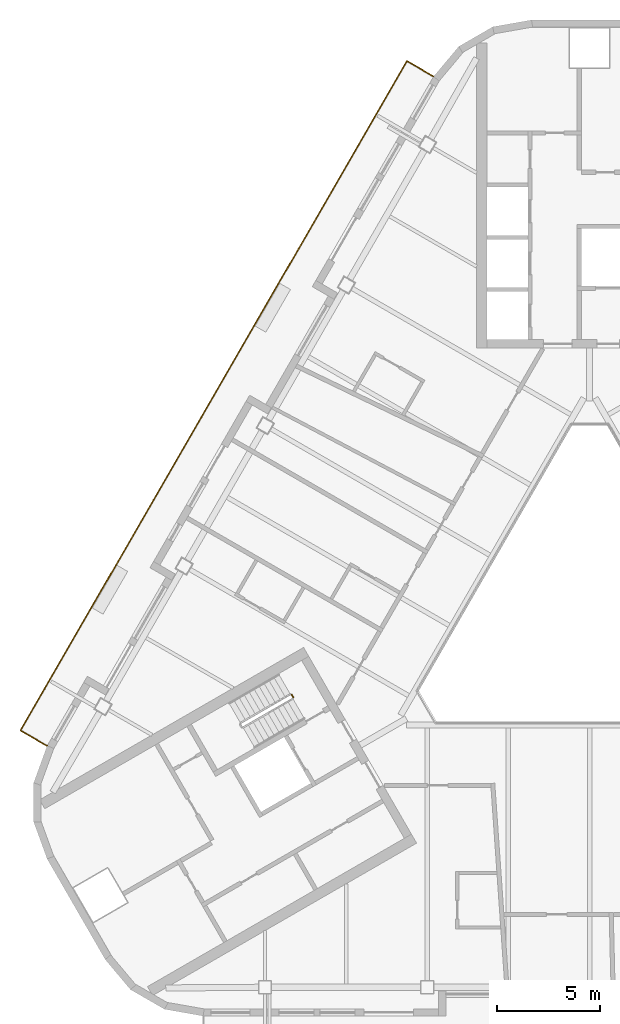
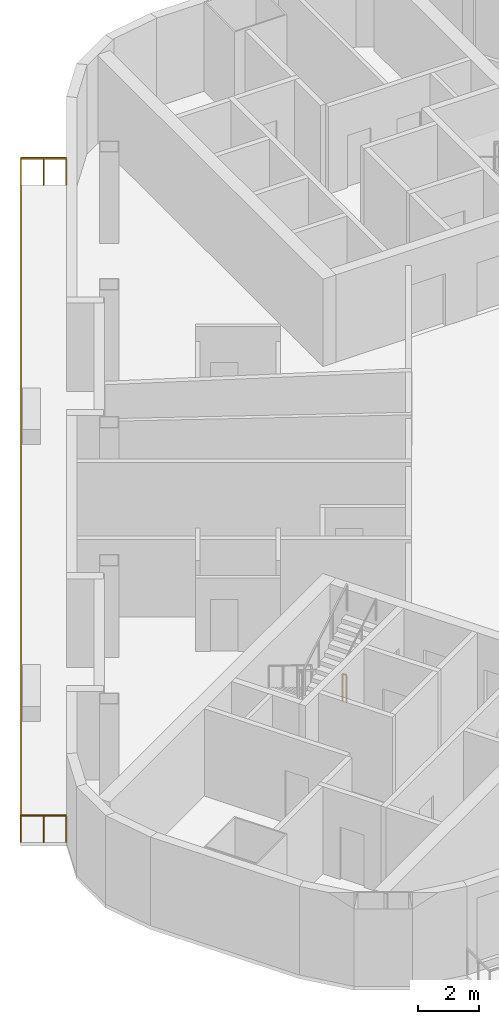
# One storey, part 11 of 14: 2 railings.
"""IFC4 building model written with IfcOpenShell, lengths in metres."""

from ifc_helpers import new_model, si_unit, direction, frame, origin, origin_2d, place, context, subcontext, project, spatial, rectangle, extrude, material, type_object, element, save


model = new_model("IFC4")

# Units and contexts
model_context = context("Model", 3, precision=1e-05, world=origin(), true_north=direction((0.0, 1.0)))
body_context = subcontext(model_context, "Body", "Model", "MODEL_VIEW")
ifc_project = project(units=[si_unit("LENGTHUNIT", "METRE"), si_unit("AREAUNIT", "SQUARE_METRE"), si_unit("VOLUMEUNIT", "CUBIC_METRE"), si_unit("PLANEANGLEUNIT", "RADIAN"), si_unit("MASSUNIT", "GRAM", prefix="KILO")], contexts=[model_context])

# Site, building, storey
site_placement = place(None, origin())
site = spatial("IfcSite", under=ifc_project, at=site_placement, CompositionType="ELEMENT")
building_placement = place(site_placement, origin())
building = spatial("IfcBuilding", under=site, at=building_placement, Name="Apuvela Tower Hotel", CompositionType="ELEMENT")
storey_placement = place(building_placement, frame((0.0, 0.0, 250.39990234375)))
storey = spatial("IfcBuildingStorey", under=building, at=storey_placement, Name="L61", CompositionType="ELEMENT", Elevation=250.39990234375)

# Railings
ifc_material_1 = material(Name="Steel S275 balustrade", Category="steel")
railing_type_1 = type_object("IfcRailingType", Name="COR-GUARD-1100", PredefinedType="GUARDRAIL", material=ifc_material_1)
railing_1_placement = place(storey_placement, frame((-14.500732421875, -3.984130859375, 0.0)))
element("IfcRailing", 1, at=railing_1_placement, inside=storey, type_object=railing_type_1, Name="L61 ST2 stair guard 4", PredefinedType="GUARDRAIL", context=body_context, shape_type="SweptSolid", body=[
    extrude(rectangle(XDim=0.048095703125, YDim=0.048095703125, at=origin_2d()), frame((0.0, 0.0, 1.076171875), z_axis=(0.499816412211, -0.866131372301, 0.0), x_axis=(0.866131372301, 0.499816412211, 0.0)), (0.0, 0.0, 1.0), 0.14990234375),
    extrude(rectangle(XDim=0.0419921875, YDim=0.0419921875, at=origin_2d()), origin(), (0.0, 0.0, 1.0), 1.052001953125),
    extrude(rectangle(XDim=0.0419921875, YDim=0.0419921875, at=origin_2d()), frame((0.074951171875, -0.1298828125, 0.0)), (0.0, 0.0, 1.0), 1.052001953125),
])
ifc_material_2 = material(Name="Stainless steel 316 rail with laminated glass infill", Category="steel")
railing_type_2 = type_object("IfcRailingType", Name="ENV-GUARD-1100", PredefinedType="GUARDRAIL", material=ifc_material_2)
railing_2_placement = place(storey_placement, frame((-7.59228515625, 26.110107421875, 0.0)))
element("IfcRailing", 2, at=railing_2_placement, inside=storey, type_object=railing_type_2, Name="Balcony guard NW L61", PredefinedType="GUARDRAIL", context=body_context, shape_type="SweptSolid", body=[
    extrude(rectangle(XDim=0.050048828125, YDim=0.050048828125, at=origin_2d()), frame((0.0, 0.0, 1.0751953125), z_axis=(-0.86599040064, 0.500060622324, 0.0), x_axis=(-0.500060622324, -0.86599040064, 0.0)), (0.0, 0.0, 1.0), 1.499755859375),
    extrude(rectangle(XDim=0.050048828125, YDim=0.050048828125, at=origin_2d()), frame((-1.298828125, 0.75, 1.0751953125), z_axis=(-0.500000437506, -0.86602515119, 0.0), x_axis=(0.86602515119, -0.500000437506, 0.0)), (0.0, 0.0, 1.0), 37.6318359375),
    extrude(rectangle(XDim=0.050048828125, YDim=0.050048828125, at=origin_2d()), frame((-20.11474609375, -31.840087890625, 1.0751953125), z_axis=(0.866031096941, -0.499990139034, 0.0), x_axis=(0.499990139034, 0.866031096941, 0.0)), (0.0, 0.0, 1.0), 1.5),
    extrude(rectangle(XDim=0.0400390625, YDim=0.0400390625, at=origin_2d()), origin(), (0.0, 0.0, 1.0), 1.050048828125),
    extrude(rectangle(XDim=0.0400390625, YDim=0.0400390625, at=origin_2d()), frame((-0.6494140625, 0.375, 0.0)), (0.0, 0.0, 1.0), 1.050048828125),
    extrude(rectangle(XDim=0.0400390625, YDim=0.0400390625, at=origin_2d()), frame((-1.298828125, 0.75, 0.0)), (0.0, 0.0, 1.0), 1.050048828125),
    extrude(rectangle(XDim=0.0400390625, YDim=0.0400390625, at=origin_2d()), frame((-1.88671875, -0.2685546875, 0.0)), (0.0, 0.0, 1.0), 1.050048828125),
    extrude(rectangle(XDim=0.0400390625, YDim=0.0400390625, at=origin_2d()), frame((-2.474853515625, -1.286865234375, 0.0)), (0.0, 0.0, 1.0), 1.050048828125),
    extrude(rectangle(XDim=0.0400390625, YDim=0.0400390625, at=origin_2d()), frame((-3.062744140625, -2.305419921875, 0.0)), (0.0, 0.0, 1.0), 1.050048828125),
    extrude(rectangle(XDim=0.0400390625, YDim=0.0400390625, at=origin_2d()), frame((-3.65087890625, -3.32373046875, 0.0)), (0.0, 0.0, 1.0), 1.050048828125),
    extrude(rectangle(XDim=0.0400390625, YDim=0.0400390625, at=origin_2d()), frame((-4.23876953125, -4.34228515625, 0.0)), (0.0, 0.0, 1.0), 1.050048828125),
    extrude(rectangle(XDim=0.0400390625, YDim=0.0400390625, at=origin_2d()), frame((-4.826904296875, -5.360595703125, 0.0)), (0.0, 0.0, 1.0), 1.050048828125),
    extrude(rectangle(XDim=0.0400390625, YDim=0.0400390625, at=origin_2d()), frame((-5.414794921875, -6.379150390625, 0.0)), (0.0, 0.0, 1.0), 1.050048828125),
    extrude(rectangle(XDim=0.0400390625, YDim=0.0400390625, at=origin_2d()), frame((-6.0029296875, -7.3974609375, 0.0)), (0.0, 0.0, 1.0), 1.050048828125),
    extrude(rectangle(XDim=0.0400390625, YDim=0.0400390625, at=origin_2d()), frame((-6.5908203125, -8.416015625, 0.0)), (0.0, 0.0, 1.0), 1.050048828125),
    extrude(rectangle(XDim=0.0400390625, YDim=0.0400390625, at=origin_2d()), frame((-7.1787109375, -9.434326171875, 0.0)), (0.0, 0.0, 1.0), 1.050048828125),
    extrude(rectangle(XDim=0.0400390625, YDim=0.0400390625, at=origin_2d()), frame((-7.766845703125, -10.452880859375, 0.0)), (0.0, 0.0, 1.0), 1.050048828125),
    extrude(rectangle(XDim=0.0400390625, YDim=0.0400390625, at=origin_2d()), frame((-8.354736328125, -11.47119140625, 0.0)), (0.0, 0.0, 1.0), 1.050048828125),
    extrude(rectangle(XDim=0.0400390625, YDim=0.0400390625, at=origin_2d()), frame((-8.94287109375, -12.48974609375, 0.0)), (0.0, 0.0, 1.0), 1.050048828125),
    extrude(rectangle(XDim=0.0400390625, YDim=0.0400390625, at=origin_2d()), frame((-9.53076171875, -13.508056640625, 0.0)), (0.0, 0.0, 1.0), 1.050048828125),
    extrude(rectangle(XDim=0.0400390625, YDim=0.0400390625, at=origin_2d()), frame((-10.118896484375, -14.526611328125, 0.0)), (0.0, 0.0, 1.0), 1.050048828125),
    extrude(rectangle(XDim=0.0400390625, YDim=0.0400390625, at=origin_2d()), frame((-10.706787109375, -15.544921875, 0.0)), (0.0, 0.0, 1.0), 1.050048828125),
    extrude(rectangle(XDim=0.0400390625, YDim=0.0400390625, at=origin_2d()), frame((-11.294677734375, -16.5634765625, 0.0)), (0.0, 0.0, 1.0), 1.050048828125),
    extrude(rectangle(XDim=0.0400390625, YDim=0.0400390625, at=origin_2d()), frame((-11.8828125, -17.58203125, 0.0)), (0.0, 0.0, 1.0), 1.050048828125),
    extrude(rectangle(XDim=0.0400390625, YDim=0.0400390625, at=origin_2d()), frame((-12.470703125, -18.600341796875, 0.0)), (0.0, 0.0, 1.0), 1.050048828125),
    extrude(rectangle(XDim=0.0400390625, YDim=0.0400390625, at=origin_2d()), frame((-13.058837890625, -19.618896484375, 0.0)), (0.0, 0.0, 1.0), 1.050048828125),
    extrude(rectangle(XDim=0.0400390625, YDim=0.0400390625, at=origin_2d()), frame((-13.646728515625, -20.63720703125, 0.0)), (0.0, 0.0, 1.0), 1.050048828125),
    extrude(rectangle(XDim=0.0400390625, YDim=0.0400390625, at=origin_2d()), frame((-14.23486328125, -21.65576171875, 0.0)), (0.0, 0.0, 1.0), 1.050048828125),
    extrude(rectangle(XDim=0.0400390625, YDim=0.0400390625, at=origin_2d()), frame((-14.82275390625, -22.674072265625, 0.0)), (0.0, 0.0, 1.0), 1.050048828125),
    extrude(rectangle(XDim=0.0400390625, YDim=0.0400390625, at=origin_2d()), frame((-15.41064453125, -23.692626953125, 0.0)), (0.0, 0.0, 1.0), 1.050048828125),
    extrude(rectangle(XDim=0.0400390625, YDim=0.0400390625, at=origin_2d()), frame((-15.998779296875, -24.7109375, 0.0)), (0.0, 0.0, 1.0), 1.050048828125),
    extrude(rectangle(XDim=0.0400390625, YDim=0.0400390625, at=origin_2d()), frame((-16.586669921875, -25.7294921875, 0.0)), (0.0, 0.0, 1.0), 1.050048828125),
    extrude(rectangle(XDim=0.0400390625, YDim=0.0400390625, at=origin_2d()), frame((-17.1748046875, -26.747802734375, 0.0)), (0.0, 0.0, 1.0), 1.050048828125),
    extrude(rectangle(XDim=0.0400390625, YDim=0.0400390625, at=origin_2d()), frame((-17.7626953125, -27.766357421875, 0.0)), (0.0, 0.0, 1.0), 1.050048828125),
    extrude(rectangle(XDim=0.0400390625, YDim=0.0400390625, at=origin_2d()), frame((-18.350830078125, -28.78466796875, 0.0)), (0.0, 0.0, 1.0), 1.050048828125),
    extrude(rectangle(XDim=0.0400390625, YDim=0.0400390625, at=origin_2d()), frame((-18.938720703125, -29.80322265625, 0.0)), (0.0, 0.0, 1.0), 1.050048828125),
    extrude(rectangle(XDim=0.0400390625, YDim=0.0400390625, at=origin_2d()), frame((-19.52685546875, -30.821533203125, 0.0)), (0.0, 0.0, 1.0), 1.050048828125),
    extrude(rectangle(XDim=0.0400390625, YDim=0.0400390625, at=origin_2d()), frame((-20.11474609375, -31.840087890625, 0.0)), (0.0, 0.0, 1.0), 1.050048828125),
    extrude(rectangle(XDim=0.0400390625, YDim=0.0400390625, at=origin_2d()), frame((-19.46533203125, -32.215087890625, 0.0)), (0.0, 0.0, 1.0), 1.050048828125),
    extrude(rectangle(XDim=0.0400390625, YDim=0.0400390625, at=origin_2d()), frame((-18.815673828125, -32.590087890625, 0.0)), (0.0, 0.0, 1.0), 1.050048828125),
])

save(model, "model.ifc")
